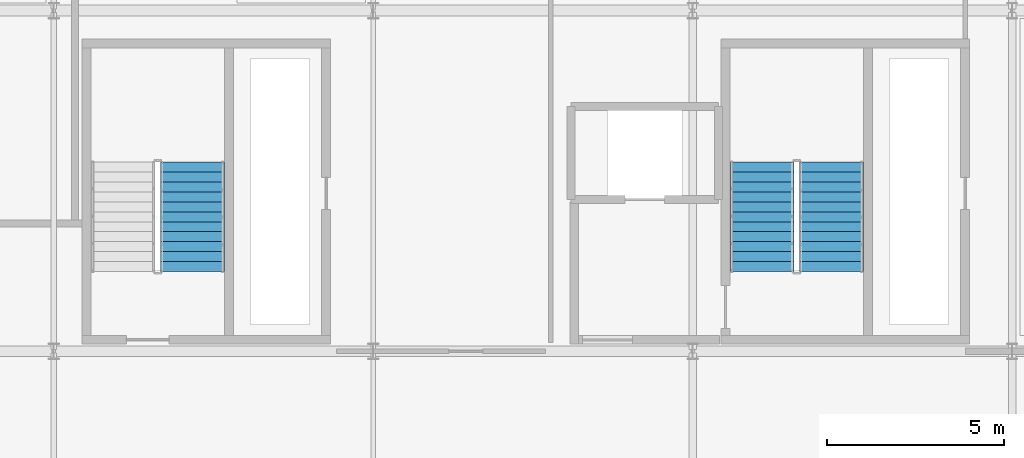
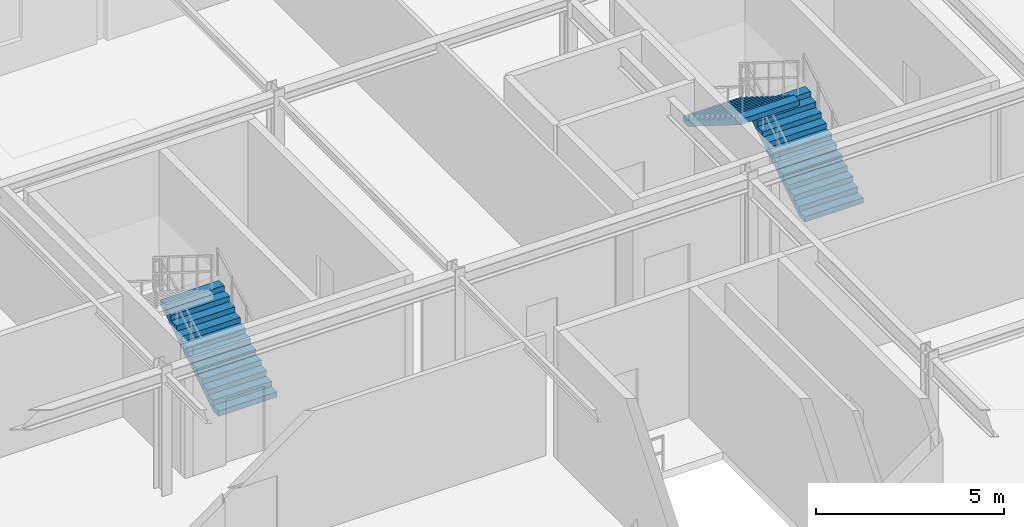
# One storey, part 55 of 81: 3 stair flights, 2 elements without a shape of their own.
"""IFC4 building model written with IfcOpenShell, lengths in metres."""

from ifc_helpers import new_model, si_unit, direction, frame, origin, place, context, subcontext, project, spatial, polyline, outline, extrude, material, type_object, element, aggregate, save


model = new_model("IFC4")

# Units and contexts
model_context = context("Model", 3, precision=1e-05, world=origin(), true_north=direction((0.0, 1.0)))
body_context = subcontext(model_context, "Body", "Model", "MODEL_VIEW")
ifc_project = project(units=[si_unit("LENGTHUNIT", "METRE"), si_unit("AREAUNIT", "SQUARE_METRE"), si_unit("VOLUMEUNIT", "CUBIC_METRE"), si_unit("PLANEANGLEUNIT", "RADIAN"), si_unit("MASSUNIT", "GRAM", prefix="KILO")], contexts=[model_context])

# Site, building, storey
site_placement = place(None, origin())
site = spatial("IfcSite", under=ifc_project, at=site_placement, CompositionType="ELEMENT")
building_placement = place(site_placement, origin())
building = spatial("IfcBuilding", under=site, at=building_placement, Name="Myrtia Square Station", CompositionType="ELEMENT")
storey_placement = place(building_placement, frame((0.0, 0.0, 10.800048828125)))
storey = spatial("IfcBuildingStorey", under=building, at=storey_placement, Name="L02", CompositionType="ELEMENT", Elevation=10.800048828125)

# Stair, stair flights
ifc_material = material(Name="Concrete C35/45", Category="concrete")
stair_type = type_object("IfcStairType", Name="STR-04-24R-1800W", PredefinedType="HALF_TURN_STAIR", material=ifc_material)
stair_1_placement = place(storey_placement, origin())
stair_1 = element("IfcStair", 1, at=stair_1_placement, inside=storey, type_object=stair_type, Name="L02 Core escape stair ST08", PredefinedType="HALF_TURN_STAIR")
stair_flight_type = type_object("IfcStairFlightType", Name="STF-04-12R-1800W", PredefinedType="STRAIGHT", material=ifc_material)
stair_flight_1_placement = place(storey_placement, frame((174.909912109375, 107.85009765625, 0.0), z_axis=(0.0, 0.0, 1.0), x_axis=(0.0, 1.0, 0.0)))
stair_flight_1 = element("IfcStairFlight", 2, at=stair_flight_1_placement, type_object=stair_flight_type, Name="ST08 flight 1", NumberOfRisers=12, NumberOfTreads=11, PredefinedType="STRAIGHT", RiserHeight=0.175, TreadLength=0.28, context=body_context, shape_type="SweptSolid", body=[
    extrude(outline(polyline([(0.0, 0.0), (0.0, 0.175048828125), (0.280029296875, 0.175048828125), (0.280029296875, 0.35009765625), (0.56005859375, 0.35009765625), (0.56005859375, 0.52490234375), (0.840087890625, 0.52490234375), (0.840087890625, 0.699951171875), (1.1201171875, 0.699951171875), (1.1201171875, 0.875), (1.39990234375, 0.875), (1.39990234375, 1.050048828125), (1.679931640625, 1.050048828125), (1.679931640625, 1.22509765625), (1.9599609375, 1.22509765625), (1.9599609375, 1.39990234375), (2.239990234375, 1.39990234375), (2.239990234375, 1.574951171875), (2.52001953125, 1.574951171875), (2.52001953125, 1.75), (2.800048828125, 1.75), (2.800048828125, 1.925048828125), (3.080078125, 1.925048828125), (3.080078125, 2.10009765625), (3.080078125, 1.748291015625), (0.28271484375, 0.0), (0.0, 0.0)])), frame((0.0, 0.89990234375, 0.0), z_axis=(0.0, -1.0, 0.0), x_axis=(1.0, 0.0, 0.0)), (0.0, 0.0, 1.0), 1.800048828125),
])
stair_flight_2_placement = place(storey_placement, frame((172.949951171875, 110.929931640625, 2.099853515625), z_axis=(0.0, 0.0, 1.0), x_axis=(0.0, -1.0, 0.0)))
stair_flight_2 = element("IfcStairFlight", 3, at=stair_flight_2_placement, type_object=stair_flight_type, Name="ST08 flight 2", NumberOfRisers=12, NumberOfTreads=11, PredefinedType="STRAIGHT", RiserHeight=0.175, TreadLength=0.28, context=body_context, shape_type="SweptSolid", body=[
    extrude(outline(polyline([(0.0, 0.0), (0.0, 0.175048828125), (0.280029296875, 0.175048828125), (0.280029296875, 0.35009765625), (0.56005859375, 0.35009765625), (0.56005859375, 0.52490234375), (0.840087890625, 0.52490234375), (0.840087890625, 0.699951171875), (1.1201171875, 0.699951171875), (1.1201171875, 0.875), (1.39990234375, 0.875), (1.39990234375, 1.050048828125), (1.679931640625, 1.050048828125), (1.679931640625, 1.22509765625), (1.9599609375, 1.22509765625), (1.9599609375, 1.39990234375), (2.239990234375, 1.39990234375), (2.239990234375, 1.574951171875), (2.52001953125, 1.574951171875), (2.52001953125, 1.75), (2.800048828125, 1.75), (2.800048828125, 1.925048828125), (3.080078125, 1.925048828125), (3.080078125, 2.10009765625), (3.080078125, 1.748291015625), (0.28271484375, 0.0), (0.0, 0.0)])), frame((0.0, 0.89990234375, 0.0), z_axis=(0.0, -1.0, 0.0), x_axis=(1.0, 0.0, 0.0)), (0.0, 0.0, 1.0), 1.800048828125),
])
aggregate(stair_1, [stair_flight_1, stair_flight_2])

# Stair, stair flight
stair_2_placement = place(storey_placement, origin())
stair_2 = element("IfcStair", 4, at=stair_2_placement, inside=storey, type_object=stair_type, Name="L02 Core escape stair ST15", PredefinedType="HALF_TURN_STAIR")
stair_flight_3_placement = place(storey_placement, frame((156.909912109375, 107.85009765625, 0.0), z_axis=(0.0, 0.0, 1.0), x_axis=(0.0, 1.0, 0.0)))
stair_flight_3 = element("IfcStairFlight", 5, at=stair_flight_3_placement, type_object=stair_flight_type, Name="ST15 flight 1", NumberOfRisers=12, NumberOfTreads=11, PredefinedType="STRAIGHT", RiserHeight=0.175, TreadLength=0.28, context=body_context, shape_type="SweptSolid", body=[
    extrude(outline(polyline([(0.0, 0.0), (0.0, 0.175048828125), (0.280029296875, 0.175048828125), (0.280029296875, 0.35009765625), (0.56005859375, 0.35009765625), (0.56005859375, 0.52490234375), (0.840087890625, 0.52490234375), (0.840087890625, 0.699951171875), (1.1201171875, 0.699951171875), (1.1201171875, 0.875), (1.39990234375, 0.875), (1.39990234375, 1.050048828125), (1.679931640625, 1.050048828125), (1.679931640625, 1.22509765625), (1.9599609375, 1.22509765625), (1.9599609375, 1.39990234375), (2.239990234375, 1.39990234375), (2.239990234375, 1.574951171875), (2.52001953125, 1.574951171875), (2.52001953125, 1.75), (2.800048828125, 1.75), (2.800048828125, 1.925048828125), (3.080078125, 1.925048828125), (3.080078125, 2.10009765625), (3.080078125, 1.748291015625), (0.28271484375, 0.0), (0.0, 0.0)])), frame((0.0, 0.89990234375, 0.0), z_axis=(0.0, -1.0, 0.0), x_axis=(1.0, 0.0, 0.0)), (0.0, 0.0, 1.0), 1.800048828125),
])
aggregate(stair_2, [stair_flight_3])

save(model, "model.ifc")
